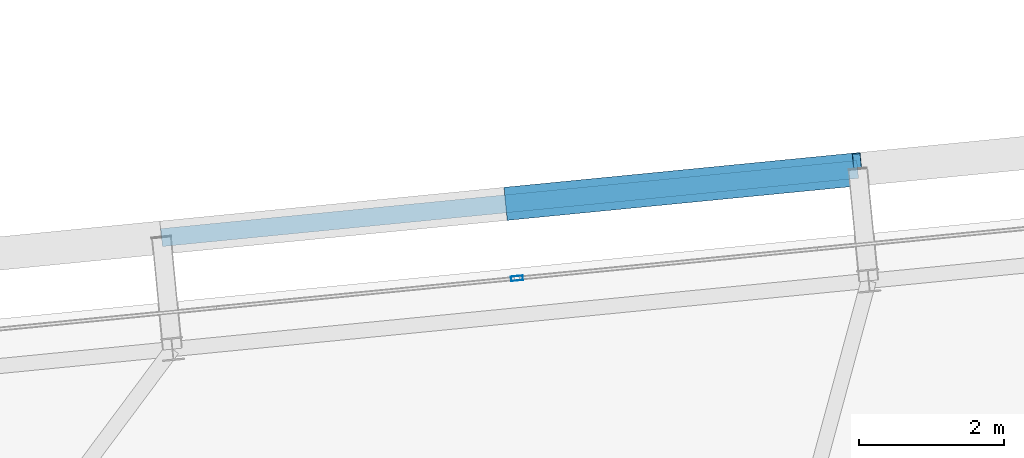
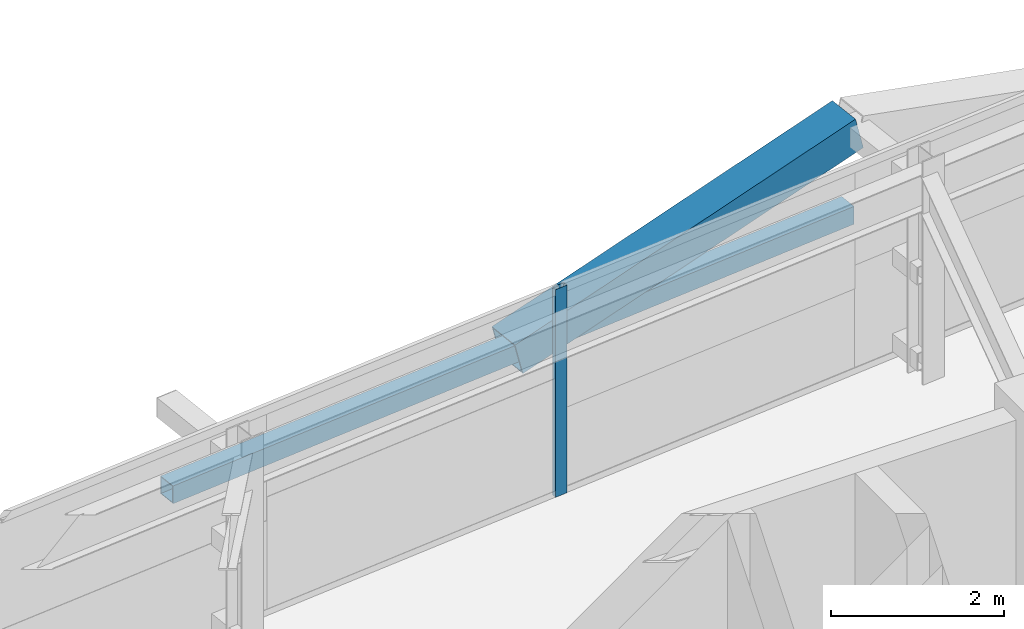
# One storey, part 27 of 47: 3 members, 1 element without a shape of its own.
"""IFC4 building model written with IfcOpenShell, lengths in metres."""

from ifc_helpers import new_model, si_unit, direction, frame, origin, origin_2d, place, context, subcontext, project, spatial, hollow_rectangle, extrude, source, transform, mapped, material, layer, layer_set, material_profile, profile_set, type_object, element, aggregate, save


model = new_model("IFC4")

# Units and contexts
model_context = context("Model", 3, precision=1e-05, world=origin(), true_north=direction((0.0, 1.0)))
body_context = subcontext(model_context, "Body", "Model", "MODEL_VIEW")
ifc_project = project(units=[si_unit("LENGTHUNIT", "METRE"), si_unit("AREAUNIT", "SQUARE_METRE"), si_unit("VOLUMEUNIT", "CUBIC_METRE"), si_unit("PLANEANGLEUNIT", "RADIAN"), si_unit("MASSUNIT", "GRAM", prefix="KILO")], contexts=[model_context])

# Site, building, storey
site_placement = place(None, origin())
site = spatial("IfcSite", under=ifc_project, at=site_placement, CompositionType="ELEMENT")
building_placement = place(site_placement, origin())
building = spatial("IfcBuilding", under=site, at=building_placement, Name="Taldren Reach Tower", CompositionType="ELEMENT")
storey_placement = place(building_placement, frame((0.0, 0.0, 106.050048828125)))
storey = spatial("IfcBuildingStorey", under=building, at=storey_placement, Name="L32", CompositionType="ELEMENT", Elevation=106.050048828125)

# Members
ifc_material_1 = material(Name="Steel Gr 450 (C450L0)", Category="steel")
ifc_material_profile_1 = material_profile(ifc_material_1, hollow_rectangle(XDim=0.4599609375, YDim=0.4599609375, WallThickness=0.01611328125, at=origin_2d()), Name="460x460x16.0SHS")
ifc_profile_set_1 = profile_set([ifc_material_profile_1], Name="Steel Gr 450 (C450L0)")
member_type_1 = type_object("IfcMemberType", Name="MB-EXO457", PredefinedType="BRACE", material=ifc_profile_set_1)
shared_shape_1 = source(origin(), body_context, "Body", "SweptSolid", [
    extrude(hollow_rectangle(XDim=0.4599609375, YDim=0.4599609375, WallThickness=0.01611328125, at=origin_2d()), origin(), (0.0, 0.0, 1.0), 4.990234375),
])
member_1_placement = place(storey_placement, frame((35.530029296875, 37.861083984375, 1.43505859375), z_axis=(0.965287024526, 0.094620633828, 0.24344998652), x_axis=(-0.097555749586, 0.995230061706, 0.0)))
element("IfcMember", 1, at=member_1_placement, inside=storey, type_object=member_type_1, Name="Exoskeleton Diagrid Brace B2-N3 L32", PredefinedType="BRACE", context=body_context, shape_type="MappedRepresentation", body=[
    mapped(shared_shape_1, transform((0.0, 0.0, 0.0), scale=1.0)),
])
ifc_material_2 = material(Name="Steel Gr 350 (C350L0)", Category="steel")
ifc_material_profile_2 = material_profile(ifc_material_2, hollow_rectangle(XDim=0.25, YDim=0.25, WallThickness=0.010009765625, at=origin_2d()), Name="250x250x10.0SHS")
ifc_profile_set_2 = profile_set([ifc_material_profile_2], Name="Steel Gr 350 (C350L0)")
member_type_2 = type_object("IfcMemberType", Name="MB-POST250", PredefinedType="POST", material=ifc_profile_set_2)
shared_shape_2 = source(origin(), body_context, "Body", "SweptSolid", [
    extrude(hollow_rectangle(XDim=0.25, YDim=0.25, WallThickness=0.010009765625, at=origin_2d()), origin(), (0.0, 0.0, 1.0), 9.679931640625),
])
member_2_placement = place(storey_placement, frame((30.713134765625, 37.388671875, 1.43505859375), z_axis=(0.995227612658, 0.097580730699, 0.0), x_axis=(-0.097580730699, 0.995227612658, 0.0)))
element("IfcMember", 2, at=member_2_placement, inside=storey, type_object=member_type_2, Name="Exoskeleton mid-height ring chord B2-N3 L32", PredefinedType="POST", context=body_context, shape_type="MappedRepresentation", body=[
    mapped(shared_shape_2, transform((0.0, 0.0, 0.0), scale=1.0)),
])

# Curtain wall, member
ifc_material_3 = material(Name="Aluminium and Low-E Glass Unitised System", Category="aluminium")
ifc_layer = layer(ifc_material_3, 0.159912109375)
ifc_layer_set = layer_set([ifc_layer], Name="Aluminium and Low-E Glass Unitised System")
curtain_wall_type = type_object("IfcCurtainWallType", Name="CW-SYS-3", PredefinedType="NOTDEFINED", material=ifc_layer_set)
curtain_wall_placement = place(storey_placement, origin())
curtain_wall = element("IfcCurtainWall", 3, at=curtain_wall_placement, inside=storey, type_object=curtain_wall_type, Name="Unitised curtain wall CW-L32-N", PredefinedType="NOTDEFINED")
ifc_material_4 = material(Name="Anodised Aluminium 6063-T6", Category="aluminium")
ifc_material_profile_3 = material_profile(ifc_material_4, hollow_rectangle(XDim=0.06494140625, YDim=0.1650390625, WallThickness=0.00390625, at=origin_2d()), Name="ALU-165x65x4RHS")
ifc_profile_set_3 = profile_set([ifc_material_profile_3], Name="Anodised Aluminium 6063-T6")
member_type_3 = type_object("IfcMemberType", Name="CW-MUL-165", PredefinedType="MULLION", material=ifc_profile_set_3)
shared_shape_3 = source(origin(), body_context, "Body", "SweptSolid", [
    extrude(hollow_rectangle(XDim=0.06494140625, YDim=0.1650390625, WallThickness=0.00390625, at=origin_2d()), origin(), (0.0, 0.0, 1.0), 2.929931640625),
])
member_3_placement = place(storey_placement, frame((35.631591796875, 36.825927734375, 0.0), z_axis=(0.0, 0.0, 1.0), x_axis=(0.097582999046, -0.995227390247, 0.0)))
member_3 = element("IfcMember", 4, at=member_3_placement, type_object=member_type_3, Name="CW-3 mullion 3", PredefinedType="MULLION", context=body_context, shape_type="MappedRepresentation", body=[
    mapped(shared_shape_3, transform((0.0, 0.0, 0.0), scale=1.0)),
])
aggregate(curtain_wall, [member_3])

save(model, "model.ifc")
